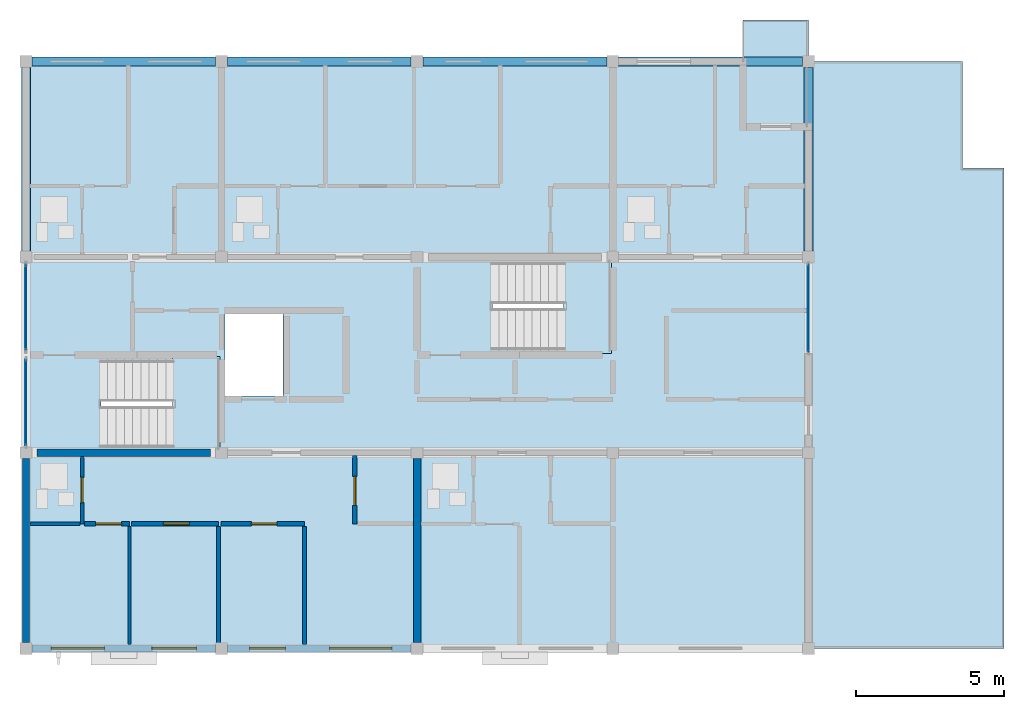
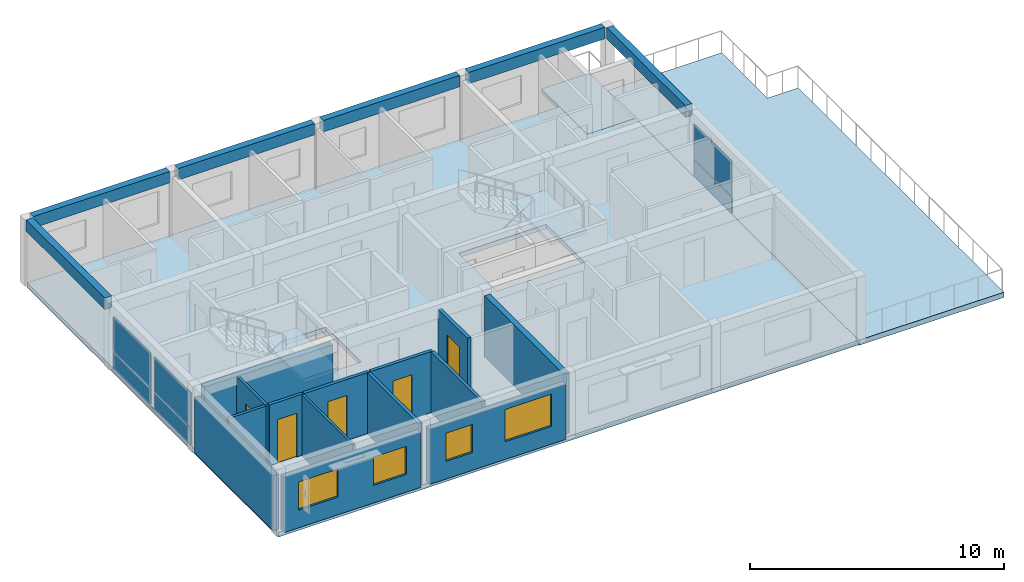
# One storey, part 7 of 12: 14 walls, 6 beams, 6 plates, 5 doors, 5 slabs, 4 windows, 9 openings, 5 elements without a shape of their own.
"""IFC4 building model written with IfcOpenShell, lengths in metres."""

from ifc_helpers import new_model, si_unit, direction, frame, frame_2d, origin, origin_2d, place, context, subcontext, project, spatial, polyline, rectangle, outline, extrude, material, layer, layer_set, material_profile, profile_set, type_object, element, fill, aggregate, save


model = new_model("IFC4")

# Units and contexts
model_context = context("Model", 3, precision=1e-05, world=origin(), true_north=direction((0.0, 1.0)))
body_context = subcontext(model_context, "Body", "Model", "MODEL_VIEW")
ifc_project = project(units=[si_unit("LENGTHUNIT", "METRE"), si_unit("AREAUNIT", "SQUARE_METRE"), si_unit("VOLUMEUNIT", "CUBIC_METRE"), si_unit("PLANEANGLEUNIT", "RADIAN"), si_unit("MASSUNIT", "GRAM", prefix="KILO")], contexts=[model_context])

# Site, building, storey
site_placement = place(None, origin())
site = spatial("IfcSite", under=ifc_project, at=site_placement, CompositionType="ELEMENT")
building_placement = place(site_placement, origin())
building = spatial("IfcBuilding", under=site, at=building_placement, Name="Kernevlak Ridge Housing Community", CompositionType="ELEMENT")
storey_placement = place(building_placement, frame((0.0, 0.0, 56.39990234375)))
storey = spatial("IfcBuildingStorey", under=building, at=storey_placement, Name="L17", CompositionType="ELEMENT", Elevation=56.39990234375)

# Beams
ifc_material_1 = material(Name="Concrete C35/45", Category="concrete")
ifc_material_profile = material_profile(ifc_material_1, rectangle(XDim=0.300048828125, YDim=0.550048828125, at=origin_2d()), Name="RC 300x550")
ifc_profile_set = profile_set([ifc_material_profile], Name="Concrete C35/45")
beam_type = type_object("IfcBeamType", Name="SP-01", PredefinedType="SPANDREL", material=ifc_profile_set)
beam_1_placement = place(storey_placement, frame((15.800048828125, 95.800048828125, 2.925048828125), z_axis=(1.0, 0.0, 0.0), x_axis=(0.0, 1.0, 0.0)))
element("IfcBeam", 1, at=beam_1_placement, inside=storey, type_object=beam_type, Name="Beam SP-01 L17 511", PredefinedType="SPANDREL", context=body_context, shape_type="SweptSolid", body=[
    extrude(rectangle(XDim=0.300048828125, YDim=0.550048828125, at=origin_2d()), origin(), (0.0, 0.0, 1.0), 6.199951171875),
])
beam_2_placement = place(storey_placement, frame((22.39990234375, 95.800048828125, 2.925048828125), z_axis=(1.0, 0.0, 0.0), x_axis=(0.0, 1.0, 0.0)))
element("IfcBeam", 2, at=beam_2_placement, inside=storey, type_object=beam_type, Name="Beam SP-01 L17 512", PredefinedType="SPANDREL", context=body_context, shape_type="SweptSolid", body=[
    extrude(rectangle(XDim=0.300048828125, YDim=0.550048828125, at=origin_2d()), origin(), (0.0, 0.0, 1.0), 6.2001953125),
])
for number, where, z_axis, x_axis, name in (
    (3, (29.0, 95.800048828125, 2.925048828125), (1.0, 0.0, 0.0), (0.0, 1.0, 0.0), "Beam SP-01 L17 513"),
    (4, (35.60009765625, 95.800048828125, 2.925048828125), (1.0, 0.0, 0.0), (0.0, 1.0, 0.0), "Beam SP-01 L17 514"),
):
    element("IfcBeam", number, at=place(storey_placement, frame(where, z_axis=z_axis, x_axis=x_axis)), inside=storey, type_object=beam_type, Name=name, PredefinedType="SPANDREL", context=body_context, shape_type="SweptSolid", body=[
        extrude(rectangle(XDim=0.300048828125, YDim=0.550048828125, at=origin_2d()), origin(), (0.0, 0.0, 1.0), 6.199951171875),
    ])
for number, where, z_axis, x_axis, name in (
    (5, (15.60009765625, 89.39990234375, 2.925048828125), (0.0, 1.0, 0.0), (-1.0, 0.0, 0.0), "Beam SP-01 L17 517"),
    (6, (42.0, 89.39990234375, 2.925048828125), (0.0, 1.0, 0.0), (-1.0, 0.0, 0.0), "Beam SP-01 L17 520"),
):
    element("IfcBeam", number, at=place(storey_placement, frame(where, z_axis=z_axis, x_axis=x_axis)), inside=storey, type_object=beam_type, Name=name, PredefinedType="SPANDREL", context=body_context, shape_type="SweptSolid", body=[
        extrude(rectangle(XDim=0.300048828125, YDim=0.550048828125, at=origin_2d()), origin(), (0.0, 0.0, 1.0), 6.2001953125),
    ])

# Curtain wall, plate
ifc_material_2 = material(Name="Aluminium EN AW-6060 anodised and laminated glass", Category="aluminium")
curtain_wall_type_1 = type_object("IfcCurtainWallType", Name="CW-06", PredefinedType="NOTDEFINED", material=ifc_material_2)
curtain_wall_1_placement = place(storey_placement, origin())
curtain_wall_1 = element("IfcCurtainWall", 7, at=curtain_wall_1_placement, inside=storey, type_object=curtain_wall_type_1, Name="Curtain wall CW-06 CW-L17-054", PredefinedType="NOTDEFINED")
ifc_material_3 = material(Name="Aluminium EN AW-5005 enamelled panel", Category="aluminium")
ifc_layer_1 = layer(ifc_material_3, 0.0419921875, Name="Aluminium EN AW-5005 enamelled panel")
ifc_layer_set_1 = layer_set([ifc_layer_1], Name="Aluminium EN AW-5005 enamelled panel")
plate_type_1 = type_object("IfcPlateType", Name="CP-05", PredefinedType="CURTAIN_PANEL", material=ifc_layer_set_1)
plate_1_placement = place(storey_placement, frame((42.0, 87.47509765625, 0.05517578125), z_axis=(0.0, 0.0, 1.0), x_axis=(0.0, 1.0, 0.0)))
plate_1 = element("IfcPlate", 8, at=plate_1_placement, type_object=plate_type_1, Name="CW-06 panel 1.1", PredefinedType="CURTAIN_PANEL", context=body_context, shape_type="SweptSolid", body=[
    extrude(rectangle(XDim=2.93994140625, YDim=0.0419921875, at=origin_2d()), origin(), (0.0, 0.0, 1.0), 0.767578125),
])

curtain_wall_type_2 = type_object("IfcCurtainWallType", Name="CW-01", PredefinedType="NOTDEFINED", material=ifc_material_2)
curtain_wall_2_placement = place(storey_placement, origin())
curtain_wall_2 = element("IfcCurtainWall", 9, at=curtain_wall_2_placement, inside=storey, type_object=curtain_wall_type_2, Name="Curtain wall CW-01 CW-L17-052", PredefinedType="NOTDEFINED")
ifc_material_4 = material(Name="Aluminium EN AW-5005 insulated panel", Category="aluminium")
ifc_layer_2 = layer(ifc_material_4, 0.0458984375, Name="Aluminium EN AW-5005 insulated panel")
ifc_layer_set_2 = layer_set([ifc_layer_2], Name="Aluminium EN AW-5005 insulated panel")
plate_type_2 = type_object("IfcPlateType", Name="CP-06", PredefinedType="CURTAIN_PANEL", material=ifc_layer_set_2)
plate_2_placement = place(storey_placement, frame((15.60009765625, 84.294921875, 0.06005859375), z_axis=(0.0, 0.0, 1.0), x_axis=(0.0, 1.0, 0.0)))
plate_2 = element("IfcPlate", 10, at=plate_2_placement, type_object=plate_type_2, Name="CW-01 panel 1.1", PredefinedType="CURTAIN_PANEL", context=body_context, shape_type="SweptSolid", body=[
    extrude(rectangle(XDim=2.8701171875, YDim=0.0458984375, at=origin_2d()), origin(), (0.0, 0.0, 1.0), 0.760009765625),
])

curtain_wall_3_placement = place(storey_placement, origin())
curtain_wall_3 = element("IfcCurtainWall", 11, at=curtain_wall_3_placement, inside=storey, type_object=curtain_wall_type_1, Name="Curtain wall CW-06 CW-L17-053", PredefinedType="NOTDEFINED")
ifc_layer_3 = layer(ifc_material_4, 0.050048828125, Name="Aluminium EN AW-5005 insulated panel")
ifc_layer_set_3 = layer_set([ifc_layer_3], Name="Aluminium EN AW-5005 insulated panel")
plate_type_3 = type_object("IfcPlateType", Name="CP-07", PredefinedType="CURTAIN_PANEL", material=ifc_layer_set_3)
plate_3_placement = place(storey_placement, frame((15.60009765625, 87.5048828125, 0.065185546875), z_axis=(0.0, 0.0, 1.0), x_axis=(0.0, 1.0, 0.0)))
plate_3 = element("IfcPlate", 12, at=plate_3_placement, type_object=plate_type_3, Name="CW-06 panel 1.1", PredefinedType="CURTAIN_PANEL", context=body_context, shape_type="SweptSolid", body=[
    extrude(rectangle(XDim=2.860107421875, YDim=0.050048828125, at=origin_2d()), origin(), (0.0, 0.0, 1.0), 0.75244140625),
])

# Plate
ifc_material_5 = material(Name="Low-iron clear staircase glazing panel", Category="glass")
ifc_layer_4 = layer(ifc_material_5, 0.031982421875, Name="Low-iron clear staircase glazing panel")
ifc_layer_set_4 = layer_set([ifc_layer_4], Name="Low-iron clear staircase glazing panel")
plate_type_4 = type_object("IfcPlateType", Name="CP-08", PredefinedType="CURTAIN_PANEL", material=ifc_layer_set_4)
plate_4_placement = place(storey_placement, frame((15.60009765625, 84.294921875, 0.88037109375), z_axis=(0.0, 0.0, 1.0), x_axis=(0.0, 1.0, 0.0)))
plate_4 = element("IfcPlate", 13, at=plate_4_placement, type_object=plate_type_4, Name="CW-01 panel 1.2", PredefinedType="CURTAIN_PANEL", context=body_context, shape_type="SweptSolid", body=[
    extrude(rectangle(XDim=2.8701171875, YDim=0.031982421875, at=origin_2d()), origin(), (0.0, 0.0, 1.0), 1.659912109375),
])

aggregate(curtain_wall_2, [plate_2, plate_4])

plate_5_placement = place(storey_placement, frame((15.60009765625, 87.5048828125, 0.88232421875), z_axis=(0.0, 0.0, 1.0), x_axis=(0.0, 1.0, 0.0)))
plate_5 = element("IfcPlate", 14, at=plate_5_placement, type_object=plate_type_4, Name="CW-06 panel 1.2", PredefinedType="CURTAIN_PANEL", context=body_context, shape_type="SweptSolid", body=[
    extrude(rectangle(XDim=2.860107421875, YDim=0.031982421875, at=origin_2d()), origin(), (0.0, 0.0, 1.0), 1.652587890625),
])

aggregate(curtain_wall_3, [plate_3, plate_5])

plate_6_placement = place(storey_placement, frame((42.0, 87.47509765625, 0.877685546875), z_axis=(0.0, 0.0, 1.0), x_axis=(0.0, 1.0, 0.0)))
plate_6 = element("IfcPlate", 15, at=plate_6_placement, type_object=plate_type_4, Name="CW-06 panel 1.2", PredefinedType="CURTAIN_PANEL", context=body_context, shape_type="SweptSolid", body=[
    extrude(rectangle(XDim=2.93994140625, YDim=0.031982421875, at=origin_2d()), origin(), (0.0, 0.0, 1.0), 1.66748046875),
])

aggregate(curtain_wall_1, [plate_1, plate_6])

# Slabs
ifc_layer_5 = layer(ifc_material_1, 0.219970703125, Name="Concrete C35/45")
ifc_layer_set_5 = layer_set([ifc_layer_5], Name="Concrete C35/45")
slab_type_1 = type_object("IfcSlabType", Name="SL-04", PredefinedType="FLOOR", material=ifc_layer_set_5)
slab_1_placement = place(storey_placement, frame((0.0, 0.0, -0.219970703125)))
element("IfcSlab", 16, at=slab_1_placement, inside=storey, type_object=slab_type_1, Name="Block A level L17 floor slab", PredefinedType="FLOOR", context=body_context, shape_type="SweptSolid", body=[
    extrude(outline(polyline([(15.60009765625, 76.0), (42.0, 76.0), (42.0, 93.60009765625), (39.800048828125, 93.60009765625), (39.800048828125, 95.800048828125), (15.60009765625, 95.800048828125), (15.60009765625, 76.0)]), holes=[polyline([(18.139892578125, 85.75), (22.1201171875, 85.75), (22.1201171875, 82.75), (18.139892578125, 82.75), (18.139892578125, 85.75)]), polyline([(31.340087890625, 89.050048828125), (35.320068359375, 89.050048828125), (35.320068359375, 86.050048828125), (31.340087890625, 86.050048828125), (31.340087890625, 89.050048828125)]), polyline([(22.320068359375, 87.280029296875), (24.280029296875, 87.280029296875), (24.280029296875, 84.52001953125), (22.320068359375, 84.52001953125), (22.320068359375, 87.280029296875)])]), origin(), (0.0, 0.0, 1.0), 0.219970703125),
])
ifc_layer_6 = layer(ifc_material_1, 0.199951171875, Name="Concrete C35/45")
ifc_layer_set_6 = layer_set([ifc_layer_6], Name="Concrete C35/45")
slab_type_2 = type_object("IfcSlabType", Name="SL-05", PredefinedType="FLOOR", material=ifc_layer_set_6)
slab_2_placement = place(storey_placement, frame((0.0, 0.0, -0.199951171875)))
element("IfcSlab", 17, at=slab_2_placement, inside=storey, type_object=slab_type_2, Name="Block A L17 corner balcony deck slab", PredefinedType="FLOOR", context=body_context, shape_type="SweptSolid", body=[
    extrude(outline(polyline([(39.800048828125, 93.60009765625), (42.0, 93.60009765625), (42.0, 97.199951171875), (39.800048828125, 97.199951171875), (39.800048828125, 93.60009765625)])), origin(), (0.0, 0.0, 1.0), 0.199951171875),
])

# Stair, slab
stair_type = type_object("IfcStairType", Name="SR-06", PredefinedType="HALF_TURN_STAIR", material=ifc_material_1)
stair_1_placement = place(storey_placement, origin())
stair_1 = element("IfcStair", 18, at=stair_1_placement, inside=storey, type_object=stair_type, Name="Stair ST-A1 L17", PredefinedType="HALF_TURN_STAIR")
ifc_layer_7 = layer(ifc_material_1, 0.18994140625, Name="Concrete C35/45")
ifc_layer_set_7 = layer_set([ifc_layer_7], Name="Concrete C35/45")
slab_type_3 = type_object("IfcSlabType", Name="SL-13", PredefinedType="LANDING", material=ifc_layer_set_7)
slab_3_placement = place(storey_placement, frame((0.0, 0.0, 1.41015625)))
slab_3 = element("IfcSlab", 19, at=slab_3_placement, type_object=slab_type_3, Name="SR-06 landing 1", PredefinedType="LANDING", context=body_context, shape_type="SweptSolid", body=[
    extrude(outline(polyline([(20.5400390625, 82.64990234375), (22.14990234375, 82.64990234375), (22.14990234375, 85.85009765625), (20.5400390625, 85.85009765625), (20.5400390625, 82.64990234375)])), origin(), (0.0, 0.0, 1.0), 0.18994140625),
])
aggregate(stair_1, [slab_3])

stair_2_placement = place(storey_placement, origin())
stair_2 = element("IfcStair", 20, at=stair_2_placement, inside=storey, type_object=stair_type, Name="Stair ST-A2 L17", PredefinedType="HALF_TURN_STAIR")
slab_4_placement = place(storey_placement, frame((0.0, 0.0, 1.41015625)))
slab_4 = element("IfcSlab", 21, at=slab_4_placement, type_object=slab_type_3, Name="SR-06 landing 1", PredefinedType="LANDING", context=body_context, shape_type="SweptSolid", body=[
    extrude(outline(polyline([(33.739990234375, 85.949951171875), (35.35009765625, 85.949951171875), (35.35009765625, 89.14990234375), (33.739990234375, 89.14990234375), (33.739990234375, 85.949951171875)])), origin(), (0.0, 0.0, 1.0), 0.18994140625),
])
aggregate(stair_2, [slab_4])

# Slab
ifc_layer_8 = layer(ifc_material_1, 0.25, Name="Concrete C35/45")
ifc_layer_set_8 = layer_set([ifc_layer_8], Name="Concrete C35/45")
slab_type_4 = type_object("IfcSlabType", Name="SL-17", PredefinedType="ROOF", material=ifc_layer_set_8)
slab_5_placement = place(storey_placement, frame((0.0, 0.0, -0.25)))
element("IfcSlab", 22, at=slab_5_placement, inside=storey, type_object=slab_type_4, Name="Block A L17 setback roof terrace slab", PredefinedType="ROOF", context=body_context, shape_type="SweptSolid", body=[
    extrude(outline(polyline([(42.0, 76.0), (48.60009765625, 76.0), (48.60009765625, 92.199951171875), (47.199951171875, 92.199951171875), (47.199951171875, 95.800048828125), (42.0, 95.800048828125), (42.0, 76.0)])), origin(), (0.0, 0.0, 1.0), 0.25),
])

# Wall, openings, windows
ifc_material_6 = material(Name="Concrete block masonry M10", Category="masonry")
ifc_layer_9 = layer(ifc_material_6, 0.239990234375, Name="Concrete block masonry M10")
ifc_layer_set_9 = layer_set([ifc_layer_9], Name="Concrete block masonry M10")
wall_type_1 = type_object("IfcWallType", Name="EW-06", PredefinedType="STANDARD", material=ifc_layer_set_9)
wall_1_placement = place(storey_placement, frame((15.800048828125, 76.0, 0.0), z_axis=(0.0, 0.0, 1.0), x_axis=(1.0, 0.0, 0.0)))
wall_1 = element("IfcWall", 23, at=wall_1_placement, inside=storey, type_object=wall_type_1, Name="Exterior wall EW-06 L17 269", PredefinedType="STANDARD", context=body_context, shape_type="SweptSolid", body=[
    extrude(rectangle(XDim=6.199951171875, YDim=0.239990234375, at=frame_2d((3.10009765625, 0.0))), origin(), (0.0, 0.0, 1.0), 2.650146484375),
])
opening_1_placement = place(wall_1_placement, frame((0.64990234375, 0.0, 0.85009765625)))
opening_1 = element("IfcOpeningElement", 24, at=opening_1_placement, cuts=wall_1, Name="Opening WT-03", PredefinedType="OPENING", context=body_context, shape_type="SweptSolid", body=[
    extrude(rectangle(XDim=1.800048828125, YDim=1.35009765625, at=frame_2d((0.89990234375, 0.675048828125))), frame((0.0, 0.1298828125, 0.0), z_axis=(0.0, -1.0, 0.0), x_axis=(1.0, 0.0, 0.0)), (0.0, 0.0, 1.0), 0.260009765625),
])
opening_2_placement = place(wall_1_placement, frame((4.050048828125, 0.0, 0.85009765625)))
opening_2 = element("IfcOpeningElement", 25, at=opening_2_placement, cuts=wall_1, Name="Opening WT-02", PredefinedType="OPENING", context=body_context, shape_type="SweptSolid", body=[
    extrude(rectangle(XDim=1.5, YDim=1.35009765625, at=frame_2d((0.75, 0.675048828125))), frame((0.0, 0.1298828125, 0.0), z_axis=(0.0, -1.0, 0.0), x_axis=(1.0, 0.0, 0.0)), (0.0, 0.0, 1.0), 0.260009765625),
])
window_type_1 = type_object("IfcWindowType", Name="WT-02", PartitioningType="SINGLE_PANEL", PredefinedType="WINDOW", material=ifc_material_2)
window_1_placement = place(opening_2_placement, origin())
window_1 = element("IfcWindow", 26, at=window_1_placement, inside=storey, type_object=window_type_1, Name="Window WT-02 L17 214", OverallHeight=1.35009765625, OverallWidth=1.5, PartitioningType="SINGLE_PANEL", PredefinedType="WINDOW", context=body_context, shape_type="SweptSolid", body=[
    extrude(rectangle(XDim=1.5, YDim=1.35009765625, at=frame_2d((0.75, 0.675048828125))), frame((0.0, 0.030029296875, 0.0), z_axis=(0.0, -1.0, 0.0), x_axis=(1.0, 0.0, 0.0)), (0.0, 0.0, 1.0), 0.06005859375),
])
fill(opening_2, window_1)
window_type_2 = type_object("IfcWindowType", Name="WT-03", PartitioningType="SINGLE_PANEL", PredefinedType="WINDOW", material=ifc_material_2)
window_2_placement = place(opening_1_placement, origin())
window_2 = element("IfcWindow", 27, at=window_2_placement, inside=storey, type_object=window_type_2, Name="Window WT-03 L17 213", OverallHeight=1.35009765625, OverallWidth=1.800048828125, PartitioningType="SINGLE_PANEL", PredefinedType="WINDOW", context=body_context, shape_type="SweptSolid", body=[
    extrude(rectangle(XDim=1.800048828125, YDim=1.35009765625, at=frame_2d((0.89990234375, 0.675048828125))), frame((0.0, 0.030029296875, 0.0), z_axis=(0.0, -1.0, 0.0), x_axis=(1.0, 0.0, 0.0)), (0.0, 0.0, 1.0), 0.06005859375),
])
fill(opening_1, window_2)

wall_2_placement = place(storey_placement, frame((22.39990234375, 76.0, 0.0), z_axis=(0.0, 0.0, 1.0), x_axis=(1.0, 0.0, 0.0)))
wall_2 = element("IfcWall", 28, at=wall_2_placement, inside=storey, type_object=wall_type_1, Name="Exterior wall EW-06 L17 270", PredefinedType="STANDARD", context=body_context, shape_type="SweptSolid", body=[
    extrude(rectangle(XDim=6.2001953125, YDim=0.239990234375, at=frame_2d((3.10009765625, 0.0))), origin(), (0.0, 0.0, 1.0), 2.650146484375),
])
opening_3_placement = place(wall_2_placement, frame((0.75, 0.0, 0.85009765625)))
opening_3 = element("IfcOpeningElement", 29, at=opening_3_placement, cuts=wall_2, Name="Opening WT-01", PredefinedType="OPENING", context=body_context, shape_type="SweptSolid", body=[
    extrude(rectangle(XDim=1.199951171875, YDim=1.35009765625, at=frame_2d((0.60009765625, 0.675048828125))), frame((0.0, 0.1298828125, 0.0), z_axis=(0.0, -1.0, 0.0), x_axis=(1.0, 0.0, 0.0)), (0.0, 0.0, 1.0), 0.260009765625),
])
opening_4_placement = place(wall_2_placement, frame((3.449951171875, 0.0, 0.85009765625)))
opening_4 = element("IfcOpeningElement", 30, at=opening_4_placement, cuts=wall_2, Name="Opening WT-05", PredefinedType="OPENING", context=body_context, shape_type="SweptSolid", body=[
    extrude(rectangle(XDim=2.10009765625, YDim=1.550048828125, at=frame_2d((1.050048828125, 0.77490234375))), frame((0.0, 0.1298828125, 0.0), z_axis=(0.0, -1.0, 0.0), x_axis=(1.0, 0.0, 0.0)), (0.0, 0.0, 1.0), 0.260009765625),
])
window_type_3 = type_object("IfcWindowType", Name="WT-01", PartitioningType="SINGLE_PANEL", PredefinedType="WINDOW", material=ifc_material_2)
window_3_placement = place(opening_3_placement, origin())
window_3 = element("IfcWindow", 31, at=window_3_placement, inside=storey, type_object=window_type_3, Name="Window WT-01 L17 215", OverallHeight=1.35009765625, OverallWidth=1.199951171875, PartitioningType="SINGLE_PANEL", PredefinedType="WINDOW", context=body_context, shape_type="SweptSolid", body=[
    extrude(rectangle(XDim=1.199951171875, YDim=1.35009765625, at=frame_2d((0.60009765625, 0.675048828125))), frame((0.0, 0.030029296875, 0.0), z_axis=(0.0, -1.0, 0.0), x_axis=(1.0, 0.0, 0.0)), (0.0, 0.0, 1.0), 0.06005859375),
])
fill(opening_3, window_3)
window_type_4 = type_object("IfcWindowType", Name="WT-05", PartitioningType="SINGLE_PANEL", PredefinedType="WINDOW", material=ifc_material_2)
window_4_placement = place(opening_4_placement, origin())
window_4 = element("IfcWindow", 32, at=window_4_placement, inside=storey, type_object=window_type_4, Name="Window WT-05 L17 216", OverallHeight=1.550048828125, OverallWidth=2.10009765625, PartitioningType="SINGLE_PANEL", PredefinedType="WINDOW", context=body_context, shape_type="SweptSolid", body=[
    extrude(rectangle(XDim=2.10009765625, YDim=1.550048828125, at=frame_2d((1.050048828125, 0.77490234375))), frame((0.0, 0.030029296875, 0.0), z_axis=(0.0, -1.0, 0.0), x_axis=(1.0, 0.0, 0.0)), (0.0, 0.0, 1.0), 0.06005859375),
])
fill(opening_4, window_4)

# Wall
wall_3_placement = place(storey_placement, frame((15.60009765625, 76.199951171875, 0.0), z_axis=(0.0, 0.0, 1.0), x_axis=(0.0, 1.0, 0.0)))
element("IfcWall", 33, at=wall_3_placement, inside=storey, type_object=wall_type_1, Name="Exterior wall EW-06 L17 279", PredefinedType="STANDARD", context=body_context, shape_type="SweptSolid", body=[
    extrude(rectangle(XDim=6.199951171875, YDim=0.239990234375, at=frame_2d((3.10009765625, 0.0))), origin(), (0.0, 0.0, 1.0), 2.650146484375),
])

# Wall, opening, door
ifc_layer_10 = layer(ifc_material_6, 0.14501953125, Name="Concrete block masonry M10")
ifc_layer_set_10 = layer_set([ifc_layer_10], Name="Concrete block masonry M10")
wall_type_2 = type_object("IfcWallType", Name="PW-03", PredefinedType="PARTITIONING", material=ifc_layer_set_10)
wall_4_placement = place(storey_placement, frame((17.572509765625, 80.199951171875, 0.0), z_axis=(0.0, 0.0, 1.0), x_axis=(1.0, 0.0, 0.0)))
wall_4 = element("IfcWall", 34, at=wall_4_placement, inside=storey, type_object=wall_type_2, Name="Interior wall PW-03 WAL-INT-L17-1095", PredefinedType="PARTITIONING", context=body_context, shape_type="SweptSolid", body=[
    extrude(rectangle(XDim=1.527587890625, YDim=0.14501953125, at=frame_2d((0.763671875, 0.0))), origin(), (0.0, 0.0, 1.0), 2.93017578125),
])
opening_5_placement = place(wall_4_placement, frame((0.375, 0.0, 0.0)))
opening_5 = element("IfcOpeningElement", 35, at=opening_5_placement, cuts=wall_4, Name="Opening D554", PredefinedType="OPENING", context=body_context, shape_type="SweptSolid", body=[
    extrude(rectangle(XDim=0.8798828125, YDim=2.10009765625, at=frame_2d((0.43994140625, 1.050048828125))), frame((0.0, 0.08251953125, 0.0), z_axis=(0.0, -1.0, 0.0), x_axis=(1.0, 0.0, 0.0)), (0.0, 0.0, 1.0), 0.1650390625),
])
ifc_material_7 = material(Name="Hardwood timber leaf", Category="wood")
door_type_1 = type_object("IfcDoorType", Name="DT-25", OperationType="NOTDEFINED", PredefinedType="DOOR", material=ifc_material_7)
door_1_placement = place(opening_5_placement, origin())
door_1 = element("IfcDoor", 36, at=door_1_placement, inside=storey, type_object=door_type_1, Name="Flat A1711 bedroom door D554", OperationType="SINGLE_SWING_RIGHT", OverallHeight=2.10009765625, OverallWidth=0.8798828125, PredefinedType="DOOR", context=body_context, shape_type="SweptSolid", body=[
    extrude(rectangle(XDim=0.8798828125, YDim=2.10009765625, at=frame_2d((0.43994140625, 1.050048828125))), frame((0.0, 0.02490234375, 0.0), z_axis=(0.0, -1.0, 0.0), x_axis=(1.0, 0.0, 0.0)), (0.0, 0.0, 1.0), 0.050048828125),
])
fill(opening_5, door_1)

wall_5_placement = place(storey_placement, frame((19.16259765625, 80.199951171875, 0.0), z_axis=(0.0, 0.0, 1.0), x_axis=(1.0, 0.0, 0.0)))
wall_5 = element("IfcWall", 37, at=wall_5_placement, inside=storey, type_object=wall_type_2, Name="Interior wall PW-03 WAL-INT-L17-1097", PredefinedType="PARTITIONING", context=body_context, shape_type="SweptSolid", body=[
    extrude(rectangle(XDim=2.9375, YDim=0.14501953125, at=frame_2d((1.46875, 0.0))), origin(), (0.0, 0.0, 1.0), 2.93017578125),
])
opening_6_placement = place(wall_5_placement, frame((1.074951171875, 0.0, 0.0)))
opening_6 = element("IfcOpeningElement", 38, at=opening_6_placement, cuts=wall_5, Name="Opening D555", PredefinedType="OPENING", context=body_context, shape_type="SweptSolid", body=[
    extrude(rectangle(XDim=0.8798828125, YDim=2.159912109375, at=frame_2d((0.43994140625, 1.080078125))), frame((0.0, 0.08251953125, 0.0), z_axis=(0.0, -1.0, 0.0), x_axis=(1.0, 0.0, 0.0)), (0.0, 0.0, 1.0), 0.1650390625),
])
door_type_2 = type_object("IfcDoorType", Name="DT-26", OperationType="NOTDEFINED", PredefinedType="DOOR", material=ifc_material_7)
door_2_placement = place(opening_6_placement, origin())
door_2 = element("IfcDoor", 39, at=door_2_placement, inside=storey, type_object=door_type_2, Name="Flat A1711 bedroom door D555", OperationType="SINGLE_SWING_LEFT", OverallHeight=2.159912109375, OverallWidth=0.8798828125, PredefinedType="DOOR", context=body_context, shape_type="SweptSolid", body=[
    extrude(rectangle(XDim=0.8798828125, YDim=2.159912109375, at=frame_2d((0.43994140625, 1.080078125))), frame((0.0, 0.02490234375, 0.0), z_axis=(0.0, -1.0, 0.0), x_axis=(1.0, 0.0, 0.0)), (0.0, 0.0, 1.0), 0.050048828125),
])
fill(opening_6, door_2)

# Wall
wall_6_placement = place(storey_placement, frame((22.10009765625, 80.117431640625, 0.0), z_axis=(0.0, 0.0, 1.0), x_axis=(0.0, -1.0, 0.0)))
element("IfcWall", 40, at=wall_6_placement, inside=storey, type_object=wall_type_2, Name="Interior wall PW-03 WAL-INT-L17-1098", PredefinedType="PARTITIONING", context=body_context, shape_type="SweptSolid", body=[
    extrude(rectangle(XDim=4.037353515625, YDim=0.14501953125, at=frame_2d((2.0185546875, 0.0))), origin(), (0.0, 0.0, 1.0), 2.93017578125),
])

# Wall, opening, door
wall_7_placement = place(storey_placement, frame((22.1826171875, 80.199951171875, 0.0), z_axis=(0.0, 0.0, 1.0), x_axis=(1.0, 0.0, 0.0)))
wall_7 = element("IfcWall", 41, at=wall_7_placement, inside=storey, type_object=wall_type_2, Name="Interior wall PW-03 WAL-INT-L17-1099", PredefinedType="PARTITIONING", context=body_context, shape_type="SweptSolid", body=[
    extrude(rectangle(XDim=2.8173828125, YDim=0.14501953125, at=frame_2d((1.40869140625, 0.0))), origin(), (0.0, 0.0, 1.0), 2.93017578125),
])
opening_7_placement = place(wall_7_placement, frame((1.02490234375, 0.0, 0.0)))
opening_7 = element("IfcOpeningElement", 42, at=opening_7_placement, cuts=wall_7, Name="Opening D556", PredefinedType="OPENING", context=body_context, shape_type="SweptSolid", body=[
    extrude(rectangle(XDim=0.860107421875, YDim=2.1201171875, at=frame_2d((0.43017578125, 1.06005859375))), frame((0.0, 0.08251953125, 0.0), z_axis=(0.0, -1.0, 0.0), x_axis=(1.0, 0.0, 0.0)), (0.0, 0.0, 1.0), 0.1650390625),
])
door_type_3 = type_object("IfcDoorType", Name="DT-28", OperationType="NOTDEFINED", PredefinedType="DOOR", material=ifc_material_7)
door_3_placement = place(opening_7_placement, origin())
door_3 = element("IfcDoor", 43, at=door_3_placement, inside=storey, type_object=door_type_3, Name="Flat A1711 bedroom door D556", OperationType="SINGLE_SWING_RIGHT", OverallHeight=2.1201171875, OverallWidth=0.860107421875, PredefinedType="DOOR", context=body_context, shape_type="SweptSolid", body=[
    extrude(rectangle(XDim=0.860107421875, YDim=2.1201171875, at=frame_2d((0.43017578125, 1.06005859375))), frame((0.0, 0.02490234375, 0.0), z_axis=(0.0, -1.0, 0.0), x_axis=(1.0, 0.0, 0.0)), (0.0, 0.0, 1.0), 0.050048828125),
])
fill(opening_7, door_3)

# Wall
wall_8_placement = place(storey_placement, frame((25.0, 80.117431640625, 0.0), z_axis=(0.0, 0.0, 1.0), x_axis=(0.0, -1.0, 0.0)))
element("IfcWall", 44, at=wall_8_placement, inside=storey, type_object=wall_type_2, Name="Interior wall PW-03 WAL-INT-L17-1100", PredefinedType="PARTITIONING", context=body_context, shape_type="SweptSolid", body=[
    extrude(rectangle(XDim=3.987548828125, YDim=0.14501953125, at=frame_2d((1.99365234375, 0.0))), origin(), (0.0, 0.0, 1.0), 2.93017578125),
])

# Wall, opening, door
ifc_material_8 = material(Name="Gypsum plasterboard EN 520", Category="gypsum")
ifc_layer_11 = layer(ifc_material_8, 0.125, Name="Gypsum plasterboard EN 520")
ifc_layer_set_11 = layer_set([ifc_layer_11], Name="Gypsum plasterboard EN 520")
wall_type_3 = type_object("IfcWallType", Name="PW-04", PredefinedType="PARTITIONING", material=ifc_layer_set_11)
wall_9_placement = place(storey_placement, frame((17.5, 82.465087890625, 0.0), z_axis=(0.0, 0.0, 1.0), x_axis=(0.0, -1.0, 0.0)))
wall_9 = element("IfcWall", 45, at=wall_9_placement, inside=storey, type_object=wall_type_3, Name="Interior wall PW-04 WAL-INT-L17-1091", PredefinedType="PARTITIONING", context=body_context, shape_type="SweptSolid", body=[
    extrude(rectangle(XDim=2.26513671875, YDim=0.125, at=frame_2d((1.132568359375, 0.0))), origin(), (0.0, 0.0, 1.0), 2.93017578125),
])
opening_8_placement = place(wall_9_placement, frame((0.699951171875, 0.0, 0.0)))
opening_8 = element("IfcOpeningElement", 46, at=opening_8_placement, cuts=wall_9, Name="Opening D552", PredefinedType="OPENING", context=body_context, shape_type="SweptSolid", body=[
    extrude(rectangle(XDim=0.85009765625, YDim=2.0400390625, at=frame_2d((0.425048828125, 1.02001953125))), frame((0.0, 0.072509765625, 0.0), z_axis=(0.0, -1.0, 0.0), x_axis=(1.0, 0.0, 0.0)), (0.0, 0.0, 1.0), 0.14501953125),
])
ifc_material_9 = material(Name="Hardwood timber moisture-resistant leaf", Category="wood")
door_type_4 = type_object("IfcDoorType", Name="DT-04", OperationType="NOTDEFINED", PredefinedType="DOOR", material=ifc_material_9)
door_4_placement = place(opening_8_placement, origin())
door_4 = element("IfcDoor", 47, at=door_4_placement, inside=storey, type_object=door_type_4, Name="Flat A1711 bathroom door D552", OperationType="SINGLE_SWING_RIGHT", OverallHeight=2.0400390625, OverallWidth=0.85009765625, PredefinedType="DOOR", context=body_context, shape_type="SweptSolid", body=[
    extrude(rectangle(XDim=0.85009765625, YDim=2.0400390625, at=frame_2d((0.425048828125, 1.02001953125))), frame((0.0, 0.02490234375, 0.0), z_axis=(0.0, -1.0, 0.0), x_axis=(1.0, 0.0, 0.0)), (0.0, 0.0, 1.0), 0.050048828125),
])
fill(opening_8, door_4)

# Wall
wall_10_placement = place(storey_placement, frame((15.72998046875, 80.199951171875, 0.0), z_axis=(0.0, 0.0, 1.0), x_axis=(1.0, 0.0, 0.0)))
element("IfcWall", 48, at=wall_10_placement, inside=storey, type_object=wall_type_3, Name="Interior wall PW-04 WAL-INT-L17-1092", PredefinedType="PARTITIONING", context=body_context, shape_type="SweptSolid", body=[
    extrude(rectangle(XDim=1.68994140625, YDim=0.125, at=frame_2d((0.844970703125, 0.0))), origin(), (0.0, 0.0, 1.0), 2.93017578125),
])

# Wall, opening, door
ifc_layer_12 = layer(ifc_material_8, 0.155029296875, Name="Gypsum plasterboard EN 520")
ifc_layer_set_12 = layer_set([ifc_layer_12], Name="Gypsum plasterboard EN 520")
wall_type_4 = type_object("IfcWallType", Name="PW-05", PredefinedType="PARTITIONING", material=ifc_layer_set_12)
wall_11_placement = place(storey_placement, frame((26.699951171875, 82.50244140625, 0.0), z_axis=(0.0, 0.0, 1.0), x_axis=(0.0, -1.0, 0.0)))
wall_11 = element("IfcWall", 49, at=wall_11_placement, inside=storey, type_object=wall_type_4, Name="Interior wall PW-05 WAL-INT-L17-1093", PredefinedType="PARTITIONING", context=body_context, shape_type="SweptSolid", body=[
    extrude(rectangle(XDim=2.302490234375, YDim=0.155029296875, at=frame_2d((1.1513671875, 0.0))), origin(), (0.0, 0.0, 1.0), 2.93017578125),
])
opening_9_placement = place(wall_11_placement, frame((0.699951171875, 0.0, 0.0)))
opening_9 = element("IfcOpeningElement", 50, at=opening_9_placement, cuts=wall_11, Name="Opening D553", PredefinedType="OPENING", context=body_context, shape_type="SweptSolid", body=[
    extrude(rectangle(XDim=0.97998046875, YDim=2.1201171875, at=frame_2d((0.489990234375, 1.06005859375))), frame((0.0, 0.08740234375, 0.0), z_axis=(0.0, -1.0, 0.0), x_axis=(1.0, 0.0, 0.0)), (0.0, 0.0, 1.0), 0.175048828125),
])
door_type_5 = type_object("IfcDoorType", Name="DT-24", OperationType="NOTDEFINED", PredefinedType="DOOR", material=ifc_material_7)
door_5_placement = place(opening_9_placement, origin())
door_5 = element("IfcDoor", 51, at=door_5_placement, inside=storey, type_object=door_type_5, Name="Flat A1711 kitchen door D553", OperationType="SINGLE_SWING_LEFT", OverallHeight=2.1201171875, OverallWidth=0.97998046875, PredefinedType="DOOR", context=body_context, shape_type="SweptSolid", body=[
    extrude(rectangle(XDim=0.97998046875, YDim=2.1201171875, at=frame_2d((0.489990234375, 1.06005859375))), frame((0.0, 0.02490234375, 0.0), z_axis=(0.0, -1.0, 0.0), x_axis=(1.0, 0.0, 0.0)), (0.0, 0.0, 1.0), 0.050048828125),
])
fill(opening_9, door_5)

# Walls
ifc_layer_13 = layer(ifc_material_8, 0.10498046875, Name="Gypsum plasterboard EN 520")
ifc_layer_set_13 = layer_set([ifc_layer_13], Name="Gypsum plasterboard EN 520")
wall_type_5 = type_object("IfcWallType", Name="PW-06", PredefinedType="PARTITIONING", material=ifc_layer_set_13)
wall_12_placement = place(storey_placement, frame((19.10009765625, 80.117431640625, 0.0), z_axis=(0.0, 0.0, 1.0), x_axis=(0.0, -1.0, 0.0)))
element("IfcWall", 52, at=wall_12_placement, inside=storey, type_object=wall_type_5, Name="Interior wall PW-06 WAL-INT-L17-1096", PredefinedType="PARTITIONING", context=body_context, shape_type="SweptSolid", body=[
    extrude(rectangle(XDim=3.987548828125, YDim=0.10498046875, at=frame_2d((1.99365234375, 0.0))), origin(), (0.0, 0.0, 1.0), 2.93017578125),
])
ifc_material_10 = material(Name="Concrete C40/50", Category="concrete")
ifc_layer_14 = layer(ifc_material_10, 0.25, Name="Concrete C40/50")
ifc_layer_set_14 = layer_set([ifc_layer_14], Name="Concrete C40/50")
wall_type_6 = type_object("IfcWallType", Name="SW-03", PredefinedType="SHEAR", material=ifc_layer_set_14)
wall_13_placement = place(storey_placement, frame((15.97998046875, 82.60009765625, 0.0), z_axis=(0.0, 0.0, 1.0), x_axis=(1.0, 0.0, 0.0)))
element("IfcWall", 53, at=wall_13_placement, inside=storey, type_object=wall_type_6, Name="Shear wall SW-03 Block A L17 181", PredefinedType="SHEAR", context=body_context, shape_type="SweptSolid", body=[
    extrude(rectangle(XDim=5.840087890625, YDim=0.25, at=frame_2d((2.919921875, 0.0))), origin(), (0.0, 0.0, 1.0), 2.93017578125),
])
wall_14_placement = place(storey_placement, frame((28.800048828125, 76.199951171875, 0.0), z_axis=(0.0, 0.0, 1.0), x_axis=(0.0, 1.0, 0.0)))
element("IfcWall", 54, at=wall_14_placement, inside=storey, type_object=wall_type_6, Name="Shear wall SW-03 Block A L17 188", PredefinedType="SHEAR", context=body_context, shape_type="SweptSolid", body=[
    extrude(rectangle(XDim=6.199951171875, YDim=0.25, at=frame_2d((3.10009765625, 0.0))), origin(), (0.0, 0.0, 1.0), 2.93017578125),
])

save(model, "model.ifc")
